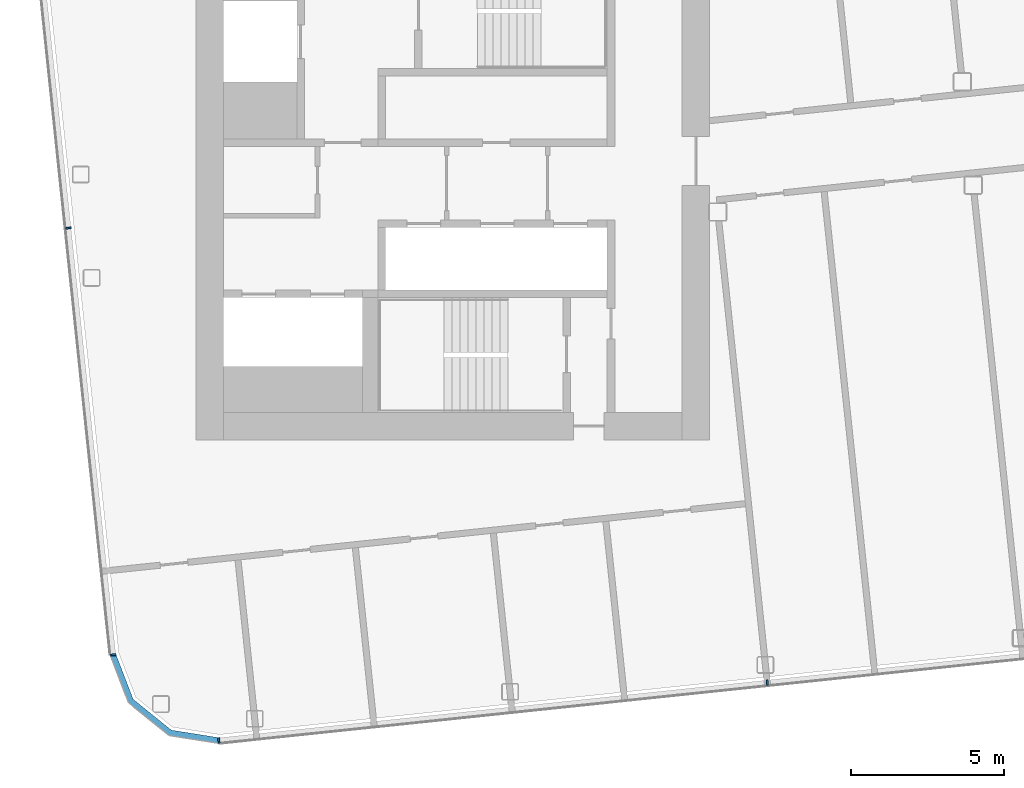
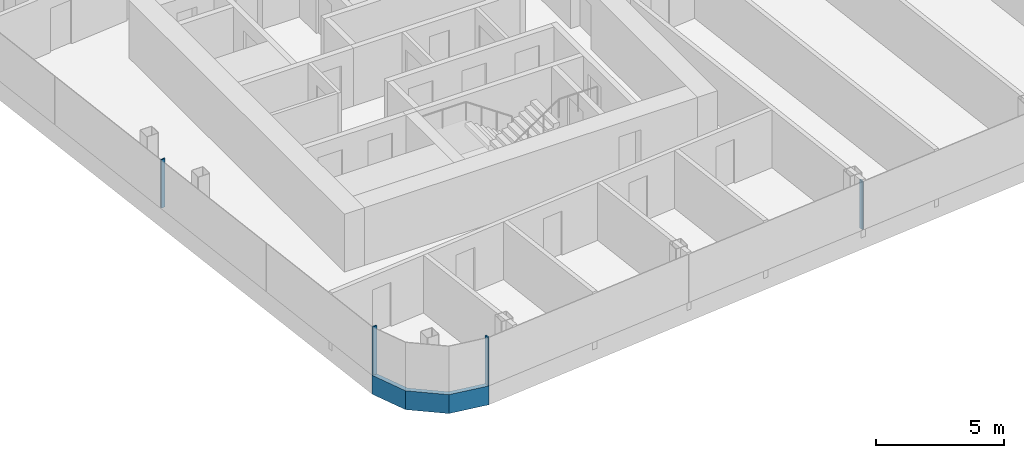
# One storey, part 3 of 27: 5 members, 3 elements without a shape of their own.
"""IFC4 building model written with IfcOpenShell, lengths in metres."""

from ifc_helpers import new_model, si_unit, direction, frame, origin, origin_2d, place, context, subcontext, project, spatial, polyline, rectangle, outline, extrude, material, layer, layer_set, material_profile, profile_set, type_object, element, aggregate, save


model = new_model("IFC4")

# Units and contexts
model_context = context("Model", 3, precision=1e-05, world=origin(), true_north=direction((0.0, 1.0)))
body_context = subcontext(model_context, "Body", "Model", "MODEL_VIEW")
ifc_project = project(units=[si_unit("LENGTHUNIT", "METRE"), si_unit("AREAUNIT", "SQUARE_METRE"), si_unit("VOLUMEUNIT", "CUBIC_METRE"), si_unit("PLANEANGLEUNIT", "RADIAN"), si_unit("MASSUNIT", "GRAM", prefix="KILO")], contexts=[model_context])

# Site, building, storey
site_placement = place(None, origin())
site = spatial("IfcSite", under=ifc_project, at=site_placement, CompositionType="ELEMENT")
building_placement = place(site_placement, origin())
building = spatial("IfcBuilding", under=site, at=building_placement, Name="Hakoniwa Tower and Hamabe Station Hall", CompositionType="ELEMENT")
storey_placement = place(building_placement, frame((0.0, 0.0, 261.39990234375)))
storey = spatial("IfcBuildingStorey", under=building, at=storey_placement, Name="L74", CompositionType="ELEMENT", Elevation=261.39990234375)

# Curtain wall, member
ifc_material_1 = material(Name="Dark low-e laminated glass", Category="glass")
ifc_layer = layer(ifc_material_1, 0.199951171875)
ifc_layer_set = layer_set([ifc_layer], Name="CW-1 UNITISED GUEST")
curtain_wall_type = type_object("IfcCurtainWallType", Name="CW-1 UNITISED GUEST", PredefinedType="NOTDEFINED", material=ifc_layer_set)
curtain_wall_1_placement = place(storey_placement, origin())
curtain_wall_1 = element("IfcCurtainWall", 1, at=curtain_wall_1_placement, inside=storey, type_object=curtain_wall_type, Name="CW-1 curtain wall", PredefinedType="NOTDEFINED")
ifc_material_2 = material(Name="Aluminium 6063-T5 black anodised", Category="aluminium")
ifc_material_profile_1 = material_profile(ifc_material_2, rectangle(XDim=0.199951171875, YDim=0.89990234375, at=origin_2d()), Name="CW SLAB-EDGE BAND 900X200")
ifc_profile_set_1 = profile_set([ifc_material_profile_1], Name="Aluminium 6063-T5 black anodised")
member_type_1 = type_object("IfcMemberType", Name="CW SLAB-EDGE BAND 900X200", PredefinedType="USERDEFINED", material=ifc_profile_set_1)
member_1_placement = place(storey_placement, frame((0.0, 0.0, -0.5498046875)))
member_1 = element("IfcMember", 2, at=member_1_placement, type_object=member_type_1, Name="CW-1 transom", ObjectType="TRANSOM", PredefinedType="USERDEFINED", context=body_context, shape_type="SweptSolid", body=[
    extrude(outline(polyline([(-36.423828125, -15.445068359375), (-35.82421875, -17.0068359375), (-34.492431640625, -18.085205078125), (-32.84033203125, -18.346923828125), (-32.80908203125, -18.1494140625), (-34.408203125, -17.89599609375), (-35.65673828125, -16.885009765625), (-36.237060546875, -15.37353515625), (-36.423828125, -15.445068359375)])), origin(), (0.0, 0.0, 1.0), 0.89990234375),
])
aggregate(curtain_wall_1, [member_1])

# Curtain wall, members
curtain_wall_2_placement = place(storey_placement, origin())
curtain_wall_2 = element("IfcCurtainWall", 3, at=curtain_wall_2_placement, inside=storey, type_object=curtain_wall_type, Name="CW-1 curtain wall", PredefinedType="NOTDEFINED")
ifc_material_3 = material(Name="Aluminium 6063-T5 black anodised", Category="aluminium")
ifc_material_profile_2 = material_profile(ifc_material_3, rectangle(XDim=0.06005859375, YDim=0.179931640625, at=origin_2d()), Name="CW-1 MULLION 60X180")
ifc_profile_set_2 = profile_set([ifc_material_profile_2], Name="Aluminium 6063-T5 black anodised")
member_type_2 = type_object("IfcMemberType", Name="CW-1 MULLION 60X180", PredefinedType="MULLION", material=ifc_profile_set_2)
member_2_placement = place(storey_placement, frame((-37.77392578125, -1.47021484375, 0.35009765625), z_axis=(0.0, 0.0, 1.0), x_axis=(0.104528468631, -0.994521894805, 0.0)))
member_2 = element("IfcMember", 4, at=member_2_placement, type_object=member_type_2, Name="CW-1 mullion", PredefinedType="MULLION", context=body_context, shape_type="SweptSolid", body=[
    extrude(rectangle(XDim=0.06005859375, YDim=0.179931640625, at=origin_2d()), origin(), (0.0, 0.0, 1.0), 2.300048828125),
])
member_3_placement = place(storey_placement, frame((-36.306396484375, -15.432861328125, 0.35009765625), z_axis=(0.0, 0.0, 1.0), x_axis=(0.104528468631, -0.994521894805, 0.0)))
member_3 = element("IfcMember", 5, at=member_3_placement, type_object=member_type_2, Name="CW-1 mullion", PredefinedType="MULLION", context=body_context, shape_type="SweptSolid", body=[
    extrude(rectangle(XDim=0.06005859375, YDim=0.179931640625, at=origin_2d()), origin(), (0.0, 0.0, 1.0), 2.300048828125),
])
aggregate(curtain_wall_2, [member_2, member_3])

curtain_wall_3_placement = place(storey_placement, origin())
curtain_wall_3 = element("IfcCurtainWall", 6, at=curtain_wall_3_placement, inside=storey, type_object=curtain_wall_type, Name="CW-1 curtain wall", PredefinedType="NOTDEFINED")
member_4_placement = place(storey_placement, frame((-32.8525390625, -18.2294921875, 0.35009765625), z_axis=(0.0, 0.0, 1.0), x_axis=(0.994521895272, 0.104528464188, 0.0)))
member_4 = element("IfcMember", 7, at=member_4_placement, type_object=member_type_2, Name="CW-1 mullion", PredefinedType="MULLION", context=body_context, shape_type="SweptSolid", body=[
    extrude(rectangle(XDim=0.06005859375, YDim=0.179931640625, at=origin_2d()), origin(), (0.0, 0.0, 1.0), 2.300048828125),
])
member_5_placement = place(storey_placement, frame((-14.911865234375, -16.343994140625, 0.35009765625), z_axis=(0.0, 0.0, 1.0), x_axis=(0.994521895272, 0.104528464188, 0.0)))
member_5 = element("IfcMember", 8, at=member_5_placement, type_object=member_type_2, Name="CW-1 mullion", PredefinedType="MULLION", context=body_context, shape_type="SweptSolid", body=[
    extrude(rectangle(XDim=0.06005859375, YDim=0.179931640625, at=origin_2d()), origin(), (0.0, 0.0, 1.0), 2.300048828125),
])
aggregate(curtain_wall_3, [member_4, member_5])

save(model, "model.ifc")
